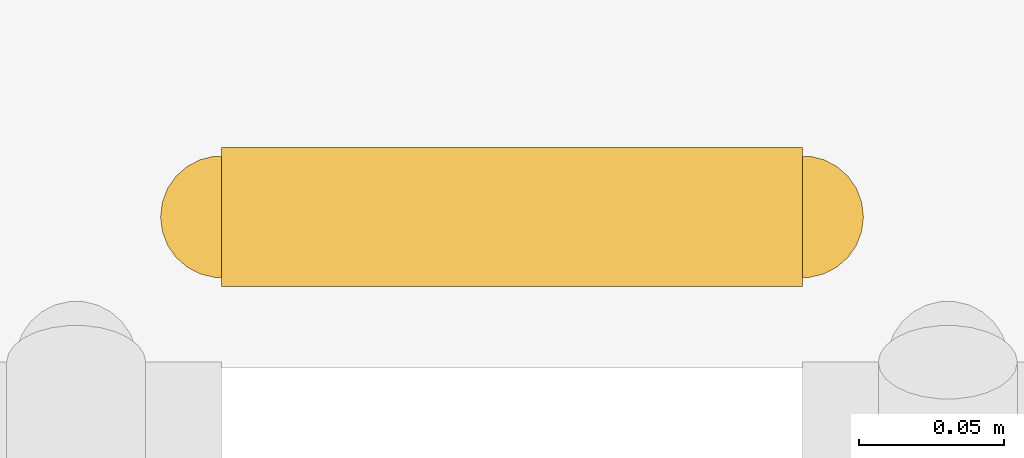
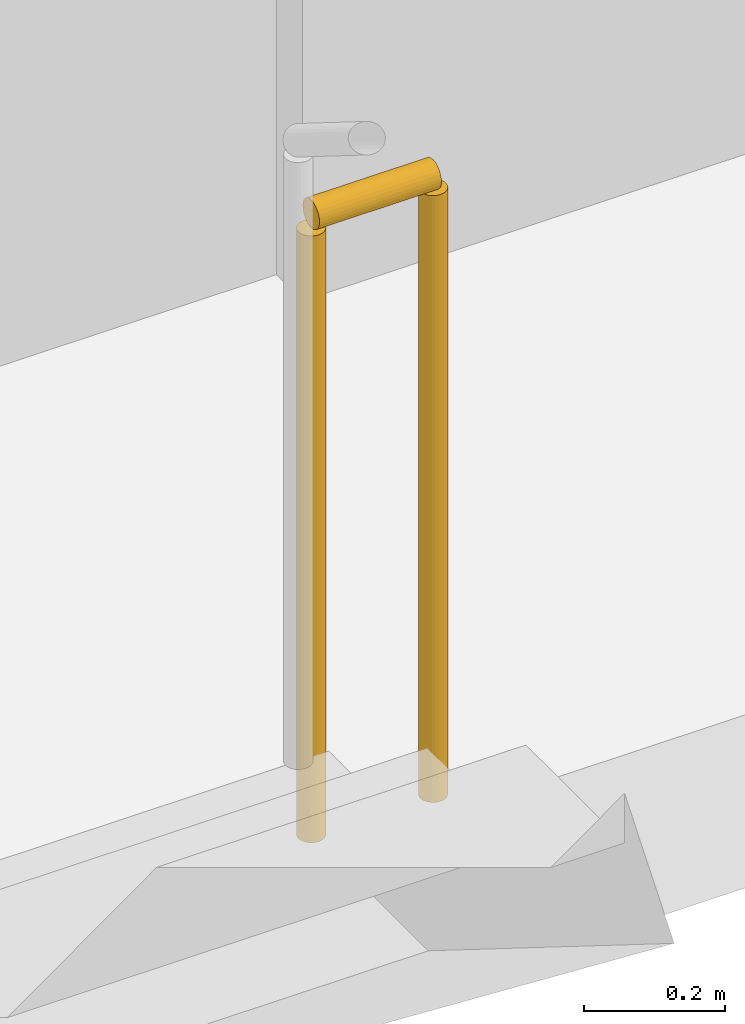
# One storey, part 23 of 23: 1 railing.
"""IFC4 building model written with IfcOpenShell, lengths in metres."""

from ifc_helpers import new_model, si_unit, direction, frame, origin, origin_2d, place, context, subcontext, project, spatial, circle, extrude, material, type_object, element, save


model = new_model("IFC4")

# Units and contexts
model_context = context("Model", 3, precision=1e-05, world=origin(), true_north=direction((0.0, 1.0)))
body_context = subcontext(model_context, "Body", "Model", "MODEL_VIEW")
ifc_project = project(units=[si_unit("LENGTHUNIT", "METRE"), si_unit("AREAUNIT", "SQUARE_METRE"), si_unit("VOLUMEUNIT", "CUBIC_METRE"), si_unit("PLANEANGLEUNIT", "RADIAN"), si_unit("MASSUNIT", "GRAM", prefix="KILO")], contexts=[model_context])

# Site, building, storey
site_placement = place(None, origin())
site = spatial("IfcSite", under=ifc_project, at=site_placement, CompositionType="ELEMENT")
building_placement = place(site_placement, origin())
building = spatial("IfcBuilding", under=site, at=building_placement, Name="Kiln Ring Residences", CompositionType="ELEMENT")
storey_placement = place(building_placement, frame((0.0, 0.0, 86.800048828125)))
storey = spatial("IfcBuildingStorey", under=building, at=storey_placement, Name="L21", CompositionType="ELEMENT", Elevation=86.800048828125)

# Railing
ifc_material = material(Name="Stainless steel", Category="steel")
railing_type = type_object("IfcRailingType", Name="CORE-STAIR-GUARD", PredefinedType="GUARDRAIL", material=ifc_material)
railing_placement = place(storey_placement, frame((22.0, 8.449951171875, 0.0)))
element("IfcRailing", 1, at=railing_placement, inside=storey, type_object=railing_type, Name="L21 E-STN stair guard 4", PredefinedType="GUARDRAIL", context=body_context, shape_type="SweptSolid", body=[
    extrude(circle(Radius=0.02392578125, at=origin_2d()), frame((0.0, 0.0, 1.076171875), z_axis=(1.0, 0.0, 0.0), x_axis=(0.0, 1.0, 0.0)), (0.0, 0.0, 1.0), 0.199951171875),
    extrude(circle(Radius=0.02099609375, at=origin_2d()), origin(), (0.0, 0.0, 1.0), 1.052001953125),
    extrude(circle(Radius=0.02099609375, at=origin_2d()), frame((0.199951171875, 0.0, 0.0)), (0.0, 0.0, 1.0), 1.052001953125),
])

save(model, "model.ifc")
